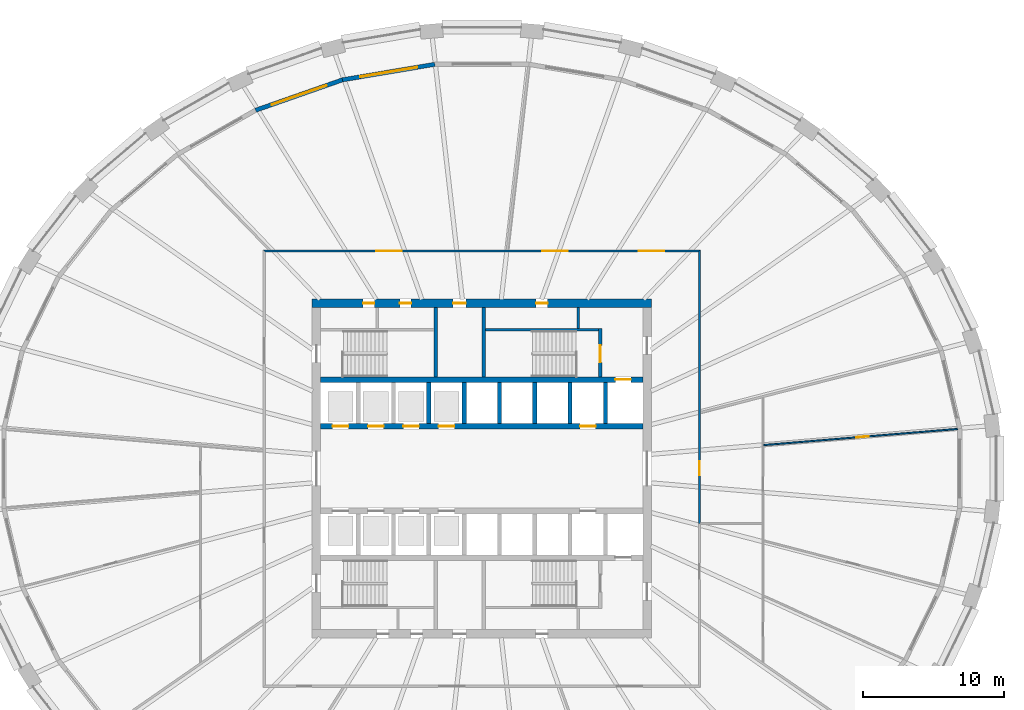
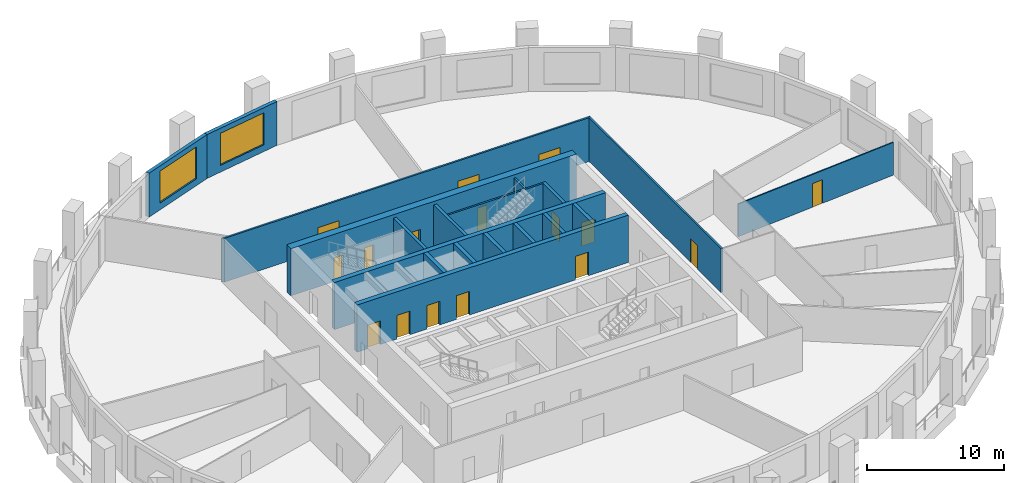
# One storey, part 6 of 11: 19 walls, 16 doors, 2 windows, 18 openings.
"""IFC4 building model written with IfcOpenShell, lengths in metres."""

from ifc_helpers import new_model, si_unit, direction, frame, frame_2d, origin, place, context, subcontext, project, spatial, polyline, rectangle, outline, extrude, material, layer, layer_set, type_object, element, fill, save


model = new_model("IFC4")

# Units and contexts
model_context = context("Model", 3, precision=1e-05, world=origin(), true_north=direction((0.0, 1.0)))
body_context = subcontext(model_context, "Body", "Model", "MODEL_VIEW")
ifc_project = project(units=[si_unit("LENGTHUNIT", "METRE"), si_unit("AREAUNIT", "SQUARE_METRE"), si_unit("VOLUMEUNIT", "CUBIC_METRE"), si_unit("PLANEANGLEUNIT", "RADIAN"), si_unit("MASSUNIT", "GRAM", prefix="KILO")], contexts=[model_context])

# Site, building, storey
site_placement = place(None, origin())
site = spatial("IfcSite", under=ifc_project, at=site_placement, CompositionType="ELEMENT")
building_placement = place(site_placement, origin())
building = spatial("IfcBuilding", under=site, at=building_placement, Name="Halqa Exchange Tower", CompositionType="ELEMENT")
storey_placement = place(building_placement, frame((0.0, 0.0, 82.300048828125)))
storey = spatial("IfcBuildingStorey", under=building, at=storey_placement, Name="L18", CompositionType="ELEMENT", Elevation=82.300048828125)

# Wall, openings, doors
ifc_material_1 = material(Name="Fire-rated gypsum board")
ifc_layer_1 = layer(ifc_material_1, 0.14990234375)
ifc_layer_set_1 = layer_set([ifc_layer_1], Name="Fire-rated gypsum board")
wall_type_1 = type_object("IfcWallType", Name="Fire partition EI 60 150", PredefinedType="PARTITIONING", material=ifc_layer_set_1)
wall_1_placement = place(storey_placement, frame((-15.47509765625, 15.39990234375, 0.0), z_axis=(0.0, 0.0, 1.0), x_axis=(1.0, 0.0, 0.0)))
wall_1 = element("IfcWall", 1, at=wall_1_placement, inside=storey, type_object=wall_type_1, Name="L18-PWL-008", PredefinedType="PARTITIONING", context=body_context, shape_type="SweptSolid", body=[
    extrude(outline(polyline([(0.150146484375, -0.074951171875), (2.065673828125, -0.074951171875), (3.9814453125, -0.074951171875), (5.89697265625, -0.074951171875), (7.8125, -0.074951171875), (9.728271484375, -0.074951171875), (11.643798828125, -0.074951171875), (13.5595703125, -0.074951171875), (15.47509765625, -0.074951171875), (17.390625, -0.074951171875), (19.306396484375, -0.074951171875), (21.221923828125, -0.074951171875), (23.1376953125, -0.074951171875), (25.05322265625, -0.074951171875), (26.96875, -0.074951171875), (28.884521484375, -0.074951171875), (30.800048828125, -0.074951171875), (30.949951171875, 0.074951171875), (29.015625, 0.074951171875), (27.081298828125, 0.074951171875), (25.14697265625, 0.074951171875), (23.21240234375, 0.074951171875), (21.278076171875, 0.074951171875), (19.34375, 0.074951171875), (17.409423828125, 0.074951171875), (15.47509765625, 0.074951171875), (13.540771484375, 0.074951171875), (11.6064453125, 0.074951171875), (9.672119140625, 0.074951171875), (7.73779296875, 0.074951171875), (5.80322265625, 0.074951171875), (3.868896484375, 0.074951171875), (1.9345703125, 0.074951171875), (0.000244140625, 0.074951171875), (0.150146484375, -0.074951171875)])), origin(), (0.0, 0.0, 1.0), 3.89990234375),
])
opening_1_placement = place(wall_1_placement, frame((26.572509765625, 0.0, 0.0)))
opening_1 = element("IfcOpeningElement", 2, at=opening_1_placement, cuts=wall_1, Name="Opening 05-07", PredefinedType="OPENING", context=body_context, shape_type="SweptSolid", body=[
    extrude(rectangle(XDim=1.800048828125, YDim=2.10009765625, at=frame_2d((0.89990234375, 1.050048828125))), frame((0.0, 0.0869140625, 0.0), z_axis=(0.0, -1.0, 0.0), x_axis=(1.0, 0.0, 0.0)), (0.0, 0.0, 1.0), 0.173828125),
])
opening_2_placement = place(wall_1_placement, frame((19.767578125, 0.0, 0.0)))
opening_2 = element("IfcOpeningElement", 3, at=opening_2_placement, cuts=wall_1, Name="Opening 05-08", PredefinedType="OPENING", context=body_context, shape_type="SweptSolid", body=[
    extrude(rectangle(XDim=1.800048828125, YDim=2.10009765625, at=frame_2d((0.89990234375, 1.050048828125))), frame((0.0, 0.0869140625, 0.0), z_axis=(0.0, -1.0, 0.0), x_axis=(1.0, 0.0, 0.0)), (0.0, 0.0, 1.0), 0.173828125),
])
opening_3_placement = place(wall_1_placement, frame((7.9951171875, 0.0, 0.0)))
opening_3 = element("IfcOpeningElement", 4, at=opening_3_placement, cuts=wall_1, Name="Opening 05-09", PredefinedType="OPENING", context=body_context, shape_type="SweptSolid", body=[
    extrude(rectangle(XDim=1.800048828125, YDim=2.10009765625, at=frame_2d((0.89990234375, 1.050048828125))), frame((0.0, 0.0869140625, 0.0), z_axis=(0.0, -1.0, 0.0), x_axis=(1.0, 0.0, 0.0)), (0.0, 0.0, 1.0), 0.173828125),
])
ifc_material_2 = material(Name="Steel fire door leaf", Category="steel")
door_type_1 = type_object("IfcDoorType", Name="Fire door FD30S double 1800 x 2100", OperationType="DOUBLE_DOOR_SINGLE_SWING", PredefinedType="DOOR", material=ifc_material_2)
door_1_placement = place(opening_1_placement, origin())
door_1 = element("IfcDoor", 5, at=door_1_placement, inside=storey, type_object=door_type_1, Name="L18-IDR-007", OperationType="DOUBLE_DOOR_SINGLE_SWING", OverallHeight=2.10009765625, OverallWidth=1.800048828125, PredefinedType="DOOR", context=body_context, shape_type="SweptSolid", body=[
    extrude(rectangle(XDim=1.800048828125, YDim=2.10009765625, at=frame_2d((0.89990234375, 1.050048828125))), frame((0.0, 0.02490234375, 0.0), z_axis=(0.0, -1.0, 0.0), x_axis=(1.0, 0.0, 0.0)), (0.0, 0.0, 1.0), 0.050048828125),
])
fill(opening_1, door_1)
door_2_placement = place(opening_2_placement, origin())
door_2 = element("IfcDoor", 6, at=door_2_placement, inside=storey, type_object=door_type_1, Name="L18-IDR-008", OperationType="DOUBLE_DOOR_SINGLE_SWING", OverallHeight=2.10009765625, OverallWidth=1.800048828125, PredefinedType="DOOR", context=body_context, shape_type="SweptSolid", body=[
    extrude(rectangle(XDim=1.800048828125, YDim=2.10009765625, at=frame_2d((0.89990234375, 1.050048828125))), frame((0.0, 0.02490234375, 0.0), z_axis=(0.0, -1.0, 0.0), x_axis=(1.0, 0.0, 0.0)), (0.0, 0.0, 1.0), 0.050048828125),
])
fill(opening_2, door_2)
door_3_placement = place(opening_3_placement, origin())
door_3 = element("IfcDoor", 7, at=door_3_placement, inside=storey, type_object=door_type_1, Name="L18-IDR-009", OperationType="DOUBLE_DOOR_SINGLE_SWING", OverallHeight=2.10009765625, OverallWidth=1.800048828125, PredefinedType="DOOR", context=body_context, shape_type="SweptSolid", body=[
    extrude(rectangle(XDim=1.800048828125, YDim=2.10009765625, at=frame_2d((0.89990234375, 1.050048828125))), frame((0.0, 0.02490234375, 0.0), z_axis=(0.0, -1.0, 0.0), x_axis=(1.0, 0.0, 0.0)), (0.0, 0.0, 1.0), 0.050048828125),
])
fill(opening_3, door_3)

# Wall, opening, door
wall_2_placement = place(storey_placement, frame((15.39990234375, -3.889892578125, 0.0), z_axis=(0.0, 0.0, 1.0), x_axis=(0.0, 1.0, 0.0)))
wall_2 = element("IfcWall", 8, at=wall_2_placement, inside=storey, type_object=wall_type_1, Name="L18-PWL-016", PredefinedType="PARTITIONING", context=body_context, shape_type="SweptSolid", body=[
    extrude(outline(polyline([(0.0, -0.074951171875), (1.9365234375, -0.074951171875), (3.873046875, -0.074951171875), (5.809326171875, -0.074951171875), (7.745849609375, -0.074951171875), (9.682373046875, -0.074951171875), (11.618896484375, -0.074951171875), (13.555419921875, -0.074951171875), (15.49169921875, -0.074951171875), (17.42822265625, -0.074951171875), (19.36474609375, -0.074951171875), (19.21484375, 0.074951171875), (17.29345703125, 0.074951171875), (15.371826171875, 0.074951171875), (13.450439453125, 0.074951171875), (11.52880859375, 0.074951171875), (9.607421875, 0.074951171875), (7.68603515625, 0.074951171875), (5.764404296875, 0.074951171875), (3.843017578125, 0.074951171875), (1.92138671875, 0.074951171875), (0.0, 0.074951171875), (0.0, -0.074951171875)])), origin(), (0.0, 0.0, 1.0), 3.89990234375),
])
opening_4_placement = place(wall_2_placement, frame((3.419921875, 0.0, 0.0)))
opening_4 = element("IfcOpeningElement", 9, at=opening_4_placement, cuts=wall_2, Name="Opening 05-06", PredefinedType="OPENING", context=body_context, shape_type="SweptSolid", body=[
    extrude(rectangle(XDim=1.0, YDim=2.10009765625, at=frame_2d((0.5, 1.050048828125))), frame((0.0, 0.0869140625, 0.0), z_axis=(0.0, -1.0, 0.0), x_axis=(1.0, 0.0, 0.0)), (0.0, 0.0, 1.0), 0.173828125),
])
door_type_2 = type_object("IfcDoorType", Name="Fire door FD30S 1000 x 2100", OperationType="SINGLE_SWING_LEFT", PredefinedType="DOOR", material=ifc_material_2)
door_4_placement = place(opening_4_placement, frame((1.0, 0.0, 0.0), z_axis=(0.0, 0.0, 1.0), x_axis=(-1.0, 0.0, 0.0)))
door_4 = element("IfcDoor", 10, at=door_4_placement, inside=storey, type_object=door_type_2, Name="L18-IDR-006", OperationType="SINGLE_SWING_RIGHT", OverallHeight=2.10009765625, OverallWidth=1.0, PredefinedType="DOOR", context=body_context, shape_type="SweptSolid", body=[
    extrude(rectangle(XDim=1.0, YDim=2.10009765625, at=frame_2d((0.5, 1.050048828125))), frame((0.0, 0.02490234375, 0.0), z_axis=(0.0, -1.0, 0.0), x_axis=(1.0, 0.0, 0.0)), (0.0, 0.0, 1.0), 0.050048828125),
])
fill(opening_4, door_4)

ifc_material_3 = material(Name="Gypsum board")
ifc_layer_2 = layer(ifc_material_3, 0.10009765625)
ifc_layer_set_2 = layer_set([ifc_layer_2], Name="Gypsum board")
wall_type_2 = type_object("IfcWallType", Name="Partition 100 gypsum", PredefinedType="PARTITIONING", material=ifc_layer_set_2)
wall_3_placement = place(storey_placement, frame((19.9462890625, 1.663818359375, 0.0), z_axis=(0.0, 0.0, 1.0), x_axis=(0.996559566172, 0.082879617945, 0.0)))
wall_3 = element("IfcWall", 11, at=wall_3_placement, inside=storey, type_object=wall_type_2, Name="L18-PWL-022", PredefinedType="PARTITIONING", context=body_context, shape_type="SweptSolid", body=[
    extrude(outline(polyline([(13.765380859375, -0.050048828125), (13.765380859375, 0.0263671875), (13.761962890625, 0.050048828125), (11.797119140625, 0.050048828125), (9.83203125, 0.050048828125), (7.8671875, 0.050048828125), (5.90234375, 0.050048828125), (3.9375, 0.050048828125), (1.97265625, 0.050048828125), (0.0078125, 0.050048828125), (0.0, -0.044677734375), (0.0, -0.050048828125), (1.966552734375, -0.050048828125), (3.932861328125, -0.050048828125), (5.8994140625, -0.050048828125), (7.865966796875, -0.050048828125), (9.83251953125, -0.050048828125), (11.798828125, -0.050048828125), (13.765380859375, -0.050048828125)])), origin(), (0.0, 0.0, 1.0), 2.909912109375),
])
opening_5_placement = place(wall_3_placement, frame((6.562744140625, 0.0, 0.0)))
opening_5 = element("IfcOpeningElement", 12, at=opening_5_placement, cuts=wall_3, Name="Opening 05-17", PredefinedType="OPENING", context=body_context, shape_type="SweptSolid", body=[
    extrude(rectangle(XDim=0.89990234375, YDim=2.10009765625, at=frame_2d((0.449951171875, 1.050048828125))), frame((0.0, 0.06201171875, 0.0), z_axis=(0.0, -1.0, 0.0), x_axis=(1.0, 0.0, 0.0)), (0.0, 0.0, 1.0), 0.1240234375),
])
ifc_material_4 = material(Name="Timber door leaf", Category="wood")
door_type_3 = type_object("IfcDoorType", Name="Door 900 x 2100", OperationType="SINGLE_SWING_LEFT", PredefinedType="DOOR", material=ifc_material_4)
door_5_placement = place(opening_5_placement, origin())
door_5 = element("IfcDoor", 13, at=door_5_placement, inside=storey, type_object=door_type_3, Name="L18-IDR-017", OperationType="SINGLE_SWING_RIGHT", OverallHeight=2.10009765625, OverallWidth=0.89990234375, PredefinedType="DOOR", context=body_context, shape_type="SweptSolid", body=[
    extrude(rectangle(XDim=0.89990234375, YDim=2.10009765625, at=frame_2d((0.449951171875, 1.050048828125))), frame((0.0, 0.02490234375, 0.0), z_axis=(0.0, -1.0, 0.0), x_axis=(1.0, 0.0, 0.0)), (0.0, 0.0, 1.0), 0.050048828125),
])
fill(opening_5, door_5)

# Walls
ifc_layer_3 = layer(ifc_material_3, 0.14990234375)
ifc_layer_set_3 = layer_set([ifc_layer_3], Name="Gypsum board")
wall_type_3 = type_object("IfcWallType", Name="Penthouse riser wall 150 gypsum", PredefinedType="PARTITIONING", material=ifc_layer_set_3)
wall_4_placement = place(storey_placement, frame((6.824951171875, 9.89990234375, 0.0), z_axis=(0.0, 0.0, 1.0), x_axis=(0.0, 1.0, 0.0)))
element("IfcWall", 14, at=wall_4_placement, inside=storey, type_object=wall_type_3, Name="Firefighting lobby west wall N", PredefinedType="PARTITIONING", context=body_context, shape_type="SweptSolid", body=[
    extrude(rectangle(XDim=1.5, YDim=0.14990234375, at=frame_2d((0.75, 0.0))), origin(), (0.0, 0.0, 1.0), 3.89990234375),
])
ifc_material_5 = material(Name="Concrete C60/75", Category="concrete")
ifc_layer_4 = layer(ifc_material_5, 0.300048828125)
ifc_layer_set_4 = layer_set([ifc_layer_4], Name="Concrete C60/75")
wall_type_4 = type_object("IfcWallType", Name="RC core wall 300", PredefinedType="SHEAR", material=ifc_layer_set_4)
for number, where, z_axis, x_axis, name in (
    (15, (-3.75, 3.199951171875, 0.0), (0.0, 0.0, 1.0), (0.0, 1.0, 0.0), "Shaft divider N3"),
    (16, (-1.25, 3.199951171875, 0.0), (0.0, 0.0, 1.0), (0.0, 1.0, 0.0), "Shaft divider N4"),
    (17, (1.25, 3.199951171875, 0.0), (0.0, 0.0, 1.0), (0.0, 1.0, 0.0), "Shaft divider N5"),
    (18, (3.75, 3.199951171875, 0.0), (0.0, 0.0, 1.0), (0.0, 1.0, 0.0), "Shaft divider N6"),
    (19, (6.25, 3.199951171875, 0.0), (0.0, 0.0, 1.0), (0.0, 1.0, 0.0), "Shaft divider N7"),
    (20, (8.75, 3.199951171875, 0.0), (0.0, 0.0, 1.0), (0.0, 1.0, 0.0), "Shaft divider N8"),
):
    element("IfcWall", number, at=place(storey_placement, frame(where, z_axis=z_axis, x_axis=x_axis)), inside=storey, type_object=wall_type_4, Name=name, PredefinedType="SHEAR", context=body_context, shape_type="SweptSolid", body=[
        extrude(rectangle(XDim=2.900146484375, YDim=0.300048828125, at=frame_2d((1.4501953125, 0.0))), origin(), (0.0, 0.0, 1.0), 4.199951171875),
    ])

# Wall, openings, doors
ifc_material_6 = material(Name="Concrete C80/95", Category="concrete")
ifc_layer_5 = layer(ifc_material_6, 0.39990234375)
ifc_layer_set_5 = layer_set([ifc_layer_5], Name="Concrete C80/95")
wall_type_5 = type_object("IfcWallType", Name="RC core wall 400 C80/95", PredefinedType="SHEAR", material=ifc_layer_set_5)
wall_5_placement = place(storey_placement, frame((-11.39990234375, 3.0, 0.0), z_axis=(0.0, 0.0, 1.0), x_axis=(1.0, 0.0, 0.0)))
wall_5 = element("IfcWall", 21, at=wall_5_placement, inside=storey, type_object=wall_type_5, Name="Lift row front wall N", PredefinedType="SHEAR", context=body_context, shape_type="SweptSolid", body=[
    extrude(rectangle(XDim=22.7998046875, YDim=0.39990234375, at=frame_2d((11.39990234375, 0.0))), origin(), (0.0, 0.0, 1.0), 4.199951171875),
])
opening_6_placement = place(wall_5_placement, frame((0.85009765625, 0.0, 0.0)))
opening_6 = element("IfcOpeningElement", 22, at=opening_6_placement, cuts=wall_5, Name="Opening LD-LR1-T05", PredefinedType="OPENING", context=body_context, shape_type="SweptSolid", body=[
    extrude(rectangle(XDim=1.10009765625, YDim=2.10009765625, at=frame_2d((0.550048828125, 1.050048828125))), frame((0.0, 0.2119140625, 0.0), z_axis=(0.0, -1.0, 0.0), x_axis=(1.0, 0.0, 0.0)), (0.0, 0.0, 1.0), 0.423828125),
])
opening_7_placement = place(wall_5_placement, frame((3.35009765625, 0.0, 0.0)))
opening_7 = element("IfcOpeningElement", 23, at=opening_7_placement, cuts=wall_5, Name="Opening LD-LR2-T05", PredefinedType="OPENING", context=body_context, shape_type="SweptSolid", body=[
    extrude(rectangle(XDim=1.10009765625, YDim=2.10009765625, at=frame_2d((0.550048828125, 1.050048828125))), frame((0.0, 0.2119140625, 0.0), z_axis=(0.0, -1.0, 0.0), x_axis=(1.0, 0.0, 0.0)), (0.0, 0.0, 1.0), 0.423828125),
])
opening_8_placement = place(wall_5_placement, frame((5.85009765625, 0.0, 0.0)))
opening_8 = element("IfcOpeningElement", 24, at=opening_8_placement, cuts=wall_5, Name="Opening LD-LR3-T05", PredefinedType="OPENING", context=body_context, shape_type="SweptSolid", body=[
    extrude(rectangle(XDim=1.10009765625, YDim=2.10009765625, at=frame_2d((0.550048828125, 1.050048828125))), frame((0.0, 0.2119140625, 0.0), z_axis=(0.0, -1.0, 0.0), x_axis=(1.0, 0.0, 0.0)), (0.0, 0.0, 1.0), 0.423828125),
])
opening_9_placement = place(wall_5_placement, frame((8.35009765625, 0.0, 0.0)))
opening_9 = element("IfcOpeningElement", 25, at=opening_9_placement, cuts=wall_5, Name="Opening LD-LR4-T05", PredefinedType="OPENING", context=body_context, shape_type="SweptSolid", body=[
    extrude(rectangle(XDim=1.10009765625, YDim=2.10009765625, at=frame_2d((0.550048828125, 1.050048828125))), frame((0.0, 0.2119140625, 0.0), z_axis=(0.0, -1.0, 0.0), x_axis=(1.0, 0.0, 0.0)), (0.0, 0.0, 1.0), 0.423828125),
])
opening_10_placement = place(wall_5_placement, frame((18.35009765625, 0.0, 0.0)))
opening_10 = element("IfcOpeningElement", 26, at=opening_10_placement, cuts=wall_5, Name="Opening LD-SV1-T05", PredefinedType="OPENING", context=body_context, shape_type="SweptSolid", body=[
    extrude(rectangle(XDim=1.10009765625, YDim=2.10009765625, at=frame_2d((0.550048828125, 1.050048828125))), frame((0.0, 0.2119140625, 0.0), z_axis=(0.0, -1.0, 0.0), x_axis=(1.0, 0.0, 0.0)), (0.0, 0.0, 1.0), 0.423828125),
])
ifc_material_7 = material(Name="Stainless steel", Category="steel")
door_type_4 = type_object("IfcDoorType", Name="Lift landing door 1100 x 2100", OperationType="SLIDING_TO_LEFT", PredefinedType="DOOR", material=ifc_material_7)
door_6_placement = place(opening_6_placement, origin())
door_6 = element("IfcDoor", 27, at=door_6_placement, inside=storey, type_object=door_type_4, Name="Lift landing door LR1", OperationType="SLIDING_TO_LEFT", OverallHeight=2.10009765625, OverallWidth=1.10009765625, PredefinedType="DOOR", context=body_context, shape_type="SweptSolid", body=[
    extrude(rectangle(XDim=1.10009765625, YDim=2.10009765625, at=frame_2d((0.550048828125, 1.050048828125))), frame((0.0, 0.02490234375, 0.0), z_axis=(0.0, -1.0, 0.0), x_axis=(1.0, 0.0, 0.0)), (0.0, 0.0, 1.0), 0.050048828125),
])
fill(opening_6, door_6)
door_7_placement = place(opening_7_placement, origin())
door_7 = element("IfcDoor", 28, at=door_7_placement, inside=storey, type_object=door_type_4, Name="Lift landing door LR2", OperationType="SLIDING_TO_LEFT", OverallHeight=2.10009765625, OverallWidth=1.10009765625, PredefinedType="DOOR", context=body_context, shape_type="SweptSolid", body=[
    extrude(rectangle(XDim=1.10009765625, YDim=2.10009765625, at=frame_2d((0.550048828125, 1.050048828125))), frame((0.0, 0.02490234375, 0.0), z_axis=(0.0, -1.0, 0.0), x_axis=(1.0, 0.0, 0.0)), (0.0, 0.0, 1.0), 0.050048828125),
])
fill(opening_7, door_7)
door_8_placement = place(opening_8_placement, origin())
door_8 = element("IfcDoor", 29, at=door_8_placement, inside=storey, type_object=door_type_4, Name="Lift landing door LR3", OperationType="SLIDING_TO_LEFT", OverallHeight=2.10009765625, OverallWidth=1.10009765625, PredefinedType="DOOR", context=body_context, shape_type="SweptSolid", body=[
    extrude(rectangle(XDim=1.10009765625, YDim=2.10009765625, at=frame_2d((0.550048828125, 1.050048828125))), frame((0.0, 0.02490234375, 0.0), z_axis=(0.0, -1.0, 0.0), x_axis=(1.0, 0.0, 0.0)), (0.0, 0.0, 1.0), 0.050048828125),
])
fill(opening_8, door_8)
door_9_placement = place(opening_9_placement, origin())
door_9 = element("IfcDoor", 30, at=door_9_placement, inside=storey, type_object=door_type_4, Name="Lift landing door LR4", OperationType="SLIDING_TO_LEFT", OverallHeight=2.10009765625, OverallWidth=1.10009765625, PredefinedType="DOOR", context=body_context, shape_type="SweptSolid", body=[
    extrude(rectangle(XDim=1.10009765625, YDim=2.10009765625, at=frame_2d((0.550048828125, 1.050048828125))), frame((0.0, 0.02490234375, 0.0), z_axis=(0.0, -1.0, 0.0), x_axis=(1.0, 0.0, 0.0)), (0.0, 0.0, 1.0), 0.050048828125),
])
fill(opening_9, door_9)
door_10_placement = place(opening_10_placement, origin())
door_10 = element("IfcDoor", 31, at=door_10_placement, inside=storey, type_object=door_type_4, Name="Lift landing door SV1", OperationType="SLIDING_TO_LEFT", OverallHeight=2.10009765625, OverallWidth=1.10009765625, PredefinedType="DOOR", context=body_context, shape_type="SweptSolid", body=[
    extrude(rectangle(XDim=1.10009765625, YDim=2.10009765625, at=frame_2d((0.550048828125, 1.050048828125))), frame((0.0, 0.02490234375, 0.0), z_axis=(0.0, -1.0, 0.0), x_axis=(1.0, 0.0, 0.0)), (0.0, 0.0, 1.0), 0.050048828125),
])
fill(opening_10, door_10)

# Wall, opening, door
wall_6_placement = place(storey_placement, frame((-11.39990234375, 6.300048828125, 0.0), z_axis=(0.0, 0.0, 1.0), x_axis=(1.0, 0.0, 0.0)))
wall_6 = element("IfcWall", 32, at=wall_6_placement, inside=storey, type_object=wall_type_5, Name="Lift row back wall N", PredefinedType="SHEAR", context=body_context, shape_type="SweptSolid", body=[
    extrude(rectangle(XDim=22.7998046875, YDim=0.39990234375, at=frame_2d((11.39990234375, 0.0))), origin(), (0.0, 0.0, 1.0), 4.199951171875),
])
opening_11_placement = place(wall_6_placement, frame((20.85009765625, 0.0, 0.0)))
opening_11 = element("IfcOpeningElement", 33, at=opening_11_placement, cuts=wall_6, Name="Opening LD-FF1-T05", PredefinedType="OPENING", context=body_context, shape_type="SweptSolid", body=[
    extrude(rectangle(XDim=1.10009765625, YDim=2.10009765625, at=frame_2d((0.550048828125, 1.050048828125))), frame((0.0, 0.2119140625, 0.0), z_axis=(0.0, -1.0, 0.0), x_axis=(1.0, 0.0, 0.0)), (0.0, 0.0, 1.0), 0.423828125),
])
door_11_placement = place(opening_11_placement, origin())
door_11 = element("IfcDoor", 34, at=door_11_placement, inside=storey, type_object=door_type_4, Name="Lift landing door FF1", OperationType="SLIDING_TO_LEFT", OverallHeight=2.10009765625, OverallWidth=1.10009765625, PredefinedType="DOOR", context=body_context, shape_type="SweptSolid", body=[
    extrude(rectangle(XDim=1.10009765625, YDim=2.10009765625, at=frame_2d((0.550048828125, 1.050048828125))), frame((0.0, 0.02490234375, 0.0), z_axis=(0.0, -1.0, 0.0), x_axis=(1.0, 0.0, 0.0)), (0.0, 0.0, 1.0), 0.050048828125),
])
fill(opening_11, door_11)

# Wall, openings, doors
ifc_layer_6 = layer(ifc_material_6, 0.60009765625)
ifc_layer_set_6 = layer_set([ifc_layer_6], Name="Concrete C80/95")
wall_type_6 = type_object("IfcWallType", Name="RC core wall 600 C80/95", PredefinedType="SHEAR", material=ifc_layer_set_6)
wall_7_placement = place(storey_placement, frame((-12.0, 11.699951171875, 0.0), z_axis=(0.0, 0.0, 1.0), x_axis=(1.0, 0.0, 0.0)))
wall_7 = element("IfcWall", 35, at=wall_7_placement, inside=storey, type_object=wall_type_6, Name="Core wall north", PredefinedType="SHEAR", context=body_context, shape_type="SweptSolid", body=[
    extrude(rectangle(XDim=24.0, YDim=0.60009765625, at=frame_2d((12.0, 0.0))), origin(), (0.0, 0.0, 1.0), 4.199951171875),
])
opening_12_placement = place(wall_7_placement, frame((9.97509765625, 0.0, 0.0)))
opening_12 = element("IfcOpeningElement", 36, at=opening_12_placement, cuts=wall_7, Name="Opening T05-C21", PredefinedType="OPENING", context=body_context, shape_type="SweptSolid", body=[
    extrude(rectangle(XDim=0.89990234375, YDim=2.10009765625, at=frame_2d((0.449951171875, 1.050048828125))), frame((0.0, 0.31201171875, 0.0), z_axis=(0.0, -1.0, 0.0), x_axis=(1.0, 0.0, 0.0)), (0.0, 0.0, 1.0), 0.6240234375),
])
opening_13_placement = place(wall_7_placement, frame((3.60009765625, 0.0, 0.0)))
opening_13 = element("IfcOpeningElement", 37, at=opening_13_placement, cuts=wall_7, Name="Opening T05-C22", PredefinedType="OPENING", context=body_context, shape_type="SweptSolid", body=[
    extrude(rectangle(XDim=0.800048828125, YDim=2.10009765625, at=frame_2d((0.39990234375, 1.050048828125))), frame((0.0, 0.31201171875, 0.0), z_axis=(0.0, -1.0, 0.0), x_axis=(1.0, 0.0, 0.0)), (0.0, 0.0, 1.0), 0.6240234375),
])
opening_14_placement = place(wall_7_placement, frame((6.199951171875, 0.0, 0.0)))
opening_14 = element("IfcOpeningElement", 38, at=opening_14_placement, cuts=wall_7, Name="Opening T05-C23", PredefinedType="OPENING", context=body_context, shape_type="SweptSolid", body=[
    extrude(rectangle(XDim=0.800048828125, YDim=2.10009765625, at=frame_2d((0.39990234375, 1.050048828125))), frame((0.0, 0.31201171875, 0.0), z_axis=(0.0, -1.0, 0.0), x_axis=(1.0, 0.0, 0.0)), (0.0, 0.0, 1.0), 0.6240234375),
])
opening_15_placement = place(wall_7_placement, frame((15.85009765625, 0.0, 0.0)))
opening_15 = element("IfcOpeningElement", 39, at=opening_15_placement, cuts=wall_7, Name="Opening T05-C24", PredefinedType="OPENING", context=body_context, shape_type="SweptSolid", body=[
    extrude(rectangle(XDim=0.800048828125, YDim=2.10009765625, at=frame_2d((0.39990234375, 1.050048828125))), frame((0.0, 0.31201171875, 0.0), z_axis=(0.0, -1.0, 0.0), x_axis=(1.0, 0.0, 0.0)), (0.0, 0.0, 1.0), 0.6240234375),
])
ifc_material_8 = material(Name="Timber fire door leaf", Category="wood")
door_type_5 = type_object("IfcDoorType", Name="Core room door FD30 900 x 2100", OperationType="SINGLE_SWING_LEFT", PredefinedType="DOOR", material=ifc_material_8)
door_12_placement = place(opening_12_placement, frame((0.89990234375, 0.0, 0.0), z_axis=(0.0, 0.0, 1.0), x_axis=(-1.0, 0.0, 0.0)))
door_12 = element("IfcDoor", 40, at=door_12_placement, inside=storey, type_object=door_type_5, Name="Core room door", OperationType="SINGLE_SWING_LEFT", OverallHeight=2.10009765625, OverallWidth=0.89990234375, PredefinedType="DOOR", context=body_context, shape_type="SweptSolid", body=[
    extrude(rectangle(XDim=0.89990234375, YDim=2.10009765625, at=frame_2d((0.449951171875, 1.050048828125))), frame((0.0, 0.02490234375, 0.0), z_axis=(0.0, -1.0, 0.0), x_axis=(1.0, 0.0, 0.0)), (0.0, 0.0, 1.0), 0.050048828125),
])
fill(opening_12, door_12)
door_type_6 = type_object("IfcDoorType", Name="Riser door FD60 800 x 2100", OperationType="SINGLE_SWING_LEFT", PredefinedType="DOOR", material=ifc_material_2)
door_13_placement = place(opening_13_placement, frame((0.800048828125, 0.0, 0.0), z_axis=(0.0, 0.0, 1.0), x_axis=(-1.0, 0.0, 0.0)))
door_13 = element("IfcDoor", 41, at=door_13_placement, inside=storey, type_object=door_type_6, Name="Core room door", OperationType="SINGLE_SWING_RIGHT", OverallHeight=2.10009765625, OverallWidth=0.800048828125, PredefinedType="DOOR", context=body_context, shape_type="SweptSolid", body=[
    extrude(rectangle(XDim=0.800048828125, YDim=2.10009765625, at=frame_2d((0.39990234375, 1.050048828125))), frame((0.0, 0.02490234375, 0.0), z_axis=(0.0, -1.0, 0.0), x_axis=(1.0, 0.0, 0.0)), (0.0, 0.0, 1.0), 0.050048828125),
])
fill(opening_13, door_13)
door_14_placement = place(opening_14_placement, frame((0.800048828125, 0.0, 0.0), z_axis=(0.0, 0.0, 1.0), x_axis=(-1.0, 0.0, 0.0)))
door_14 = element("IfcDoor", 42, at=door_14_placement, inside=storey, type_object=door_type_6, Name="Core room door", OperationType="SINGLE_SWING_LEFT", OverallHeight=2.10009765625, OverallWidth=0.800048828125, PredefinedType="DOOR", context=body_context, shape_type="SweptSolid", body=[
    extrude(rectangle(XDim=0.800048828125, YDim=2.10009765625, at=frame_2d((0.39990234375, 1.050048828125))), frame((0.0, 0.02490234375, 0.0), z_axis=(0.0, -1.0, 0.0), x_axis=(1.0, 0.0, 0.0)), (0.0, 0.0, 1.0), 0.050048828125),
])
fill(opening_14, door_14)
door_15_placement = place(opening_15_placement, frame((0.800048828125, 0.0, 0.0), z_axis=(0.0, 0.0, 1.0), x_axis=(-1.0, 0.0, 0.0)))
door_15 = element("IfcDoor", 43, at=door_15_placement, inside=storey, type_object=door_type_6, Name="Core room door", OperationType="SINGLE_SWING_RIGHT", OverallHeight=2.10009765625, OverallWidth=0.800048828125, PredefinedType="DOOR", context=body_context, shape_type="SweptSolid", body=[
    extrude(rectangle(XDim=0.800048828125, YDim=2.10009765625, at=frame_2d((0.39990234375, 1.050048828125))), frame((0.0, 0.02490234375, 0.0), z_axis=(0.0, -1.0, 0.0), x_axis=(1.0, 0.0, 0.0)), (0.0, 0.0, 1.0), 0.050048828125),
])
fill(opening_15, door_15)

# Walls
ifc_material_9 = material(Name="Concrete C30/37", Category="concrete")
ifc_layer_7 = layer(ifc_material_9, 0.14990234375)
ifc_layer_set_7 = layer_set([ifc_layer_7], Name="Concrete C30/37")
wall_type_7 = type_object("IfcWallType", Name="RC stair wall 150 C30/37", PredefinedType="SHEAR", material=ifc_layer_set_7)
wall_8_placement = place(storey_placement, frame((0.25, 9.824951171875, 0.0), z_axis=(0.0, 0.0, 1.0), x_axis=(1.0, 0.0, 0.0)))
element("IfcWall", 44, at=wall_8_placement, inside=storey, type_object=wall_type_7, Name="Stair ST2 north wall N", PredefinedType="SHEAR", context=body_context, shape_type="SweptSolid", body=[
    extrude(rectangle(XDim=8.0, YDim=0.14990234375, at=frame_2d((4.0, 0.0))), origin(), (0.0, 0.0, 1.0), 3.89990234375),
])
ifc_layer_8 = layer(ifc_material_9, 0.25)
ifc_layer_set_8 = layer_set([ifc_layer_8], Name="Concrete C30/37")
wall_type_8 = type_object("IfcWallType", Name="RC stair wall 250 C30/37", PredefinedType="SHEAR", material=ifc_layer_set_8)
for number, where, z_axis, x_axis, name in (
    (45, (-3.27490234375, 6.5, 0.0), (0.0, 0.0, 1.0), (0.0, 1.0, 0.0), "Stair ST1 east wall N"),
    (46, (0.125, 6.5, 0.0), (0.0, 0.0, 1.0), (0.0, 1.0, 0.0), "Stair ST2 west wall N"),
):
    element("IfcWall", number, at=place(storey_placement, frame(where, z_axis=z_axis, x_axis=x_axis)), inside=storey, type_object=wall_type_8, Name=name, PredefinedType="SHEAR", context=body_context, shape_type="SweptSolid", body=[
        extrude(rectangle(XDim=4.89990234375, YDim=0.25, at=frame_2d((2.449951171875, 0.0))), origin(), (0.0, 0.0, 1.0), 3.89990234375),
    ])

# Wall, opening, door
wall_9_placement = place(storey_placement, frame((8.375, 6.5, 0.0), z_axis=(0.0, 0.0, 1.0), x_axis=(0.0, 1.0, 0.0)))
wall_9 = element("IfcWall", 47, at=wall_9_placement, inside=storey, type_object=wall_type_8, Name="Stair ST2 east wall N", PredefinedType="SHEAR", context=body_context, shape_type="SweptSolid", body=[
    extrude(rectangle(XDim=3.39990234375, YDim=0.25, at=frame_2d((1.699951171875, 0.0))), origin(), (0.0, 0.0, 1.0), 3.89990234375),
])
opening_16_placement = place(wall_9_placement, frame((1.02490234375, 0.0, 0.0)))
opening_16 = element("IfcOpeningElement", 48, at=opening_16_placement, cuts=wall_9, Name="Opening T05-C16", PredefinedType="OPENING", context=body_context, shape_type="SweptSolid", body=[
    extrude(rectangle(XDim=1.199951171875, YDim=2.10009765625, at=frame_2d((0.60009765625, 1.050048828125))), frame((0.0, 0.136962890625, 0.0), z_axis=(0.0, -1.0, 0.0), x_axis=(1.0, 0.0, 0.0)), (0.0, 0.0, 1.0), 0.27392578125),
])
door_type_7 = type_object("IfcDoorType", Name="Stair door FD90 1200 x 2100", OperationType="SINGLE_SWING_LEFT", PredefinedType="DOOR", material=ifc_material_2)
door_16_placement = place(opening_16_placement, origin())
door_16 = element("IfcDoor", 49, at=door_16_placement, inside=storey, type_object=door_type_7, Name="Stair door ST2", OperationType="SINGLE_SWING_RIGHT", OverallHeight=2.10009765625, OverallWidth=1.199951171875, PredefinedType="DOOR", context=body_context, shape_type="SweptSolid", body=[
    extrude(rectangle(XDim=1.199951171875, YDim=2.10009765625, at=frame_2d((0.60009765625, 1.050048828125))), frame((0.0, 0.02490234375, 0.0), z_axis=(0.0, -1.0, 0.0), x_axis=(1.0, 0.0, 0.0)), (0.0, 0.0, 1.0), 0.050048828125),
])
fill(opening_16, door_16)

# Wall, opening, window
ifc_material_10 = material(Name="Limestone cladding", Category="masonry")
ifc_layer_9 = layer(ifc_material_10, 0.0400390625)
ifc_material_11 = material(Name="Ventilated cavity")
ifc_layer_10 = layer(ifc_material_11, 0.030029296875, ventilated=True)
ifc_material_12 = material(Name="Mineral wool insulation")
ifc_layer_11 = layer(ifc_material_12, 0.10009765625)
ifc_layer_12 = layer(ifc_material_9, 0.10009765625)
ifc_material_13 = material(Name="Internal plaster")
ifc_layer_13 = layer(ifc_material_13, 0.030029296875)
ifc_layer_set_9 = layer_set([ifc_layer_9, ifc_layer_10, ifc_layer_11, ifc_layer_12, ifc_layer_13], Name="Stone-faced insulated wall 300")
wall_type_9 = type_object("IfcWallType", Name="Stone-faced insulated wall 300", PredefinedType="STANDARD", material=ifc_layer_set_9)
wall_10_placement = place(storey_placement, frame((-3.32861328125, 28.61083984375, 0.0), z_axis=(0.0, 0.0, 1.0), x_axis=(-0.986157735925, -0.165809890767, 0.0)))
wall_10 = element("IfcWall", 50, at=wall_10_placement, inside=storey, type_object=wall_type_9, Name="Glass-line wall 9", PredefinedType="STANDARD", context=body_context, shape_type="SweptSolid", body=[
    extrude(outline(polyline([(-0.012451171875, -0.14990234375), (6.634033203125, -0.14990234375), (6.608642578125, 0.14990234375), (0.012451171875, 0.14990234375), (-0.012451171875, -0.14990234375)])), origin(), (0.0, 0.0, 1.0), 3.89990234375),
])
opening_17_placement = place(wall_10_placement, frame((1.2607421875, 0.0, 0.60009765625)))
opening_17 = element("IfcOpeningElement", 51, at=opening_17_placement, cuts=wall_10, Name="Opening W-F1-09", PredefinedType="OPENING", context=body_context, shape_type="SweptSolid", body=[
    extrude(rectangle(XDim=4.10009765625, YDim=2.85009765625, at=frame_2d((2.050048828125, 1.425048828125))), frame((0.0, 0.162109375, 0.0), z_axis=(0.0, -1.0, 0.0), x_axis=(1.0, 0.0, 0.0)), (0.0, 0.0, 1.0), 0.323974609375),
])
ifc_material_14 = material(Name="Clear low-emissivity glass in aluminium frame", Category="aluminium")
window_type = type_object("IfcWindowType", Name="Fixed clear glazed window 4100 x 2850", PartitioningType="TRIPLE_PANEL_VERTICAL", PredefinedType="WINDOW", material=ifc_material_14)
window_1_placement = place(opening_17_placement, origin())
window_1 = element("IfcWindow", 52, at=window_1_placement, inside=storey, type_object=window_type, Name="Window 1", OverallHeight=2.85009765625, OverallWidth=4.10009765625, PartitioningType="TRIPLE_PANEL_VERTICAL", PredefinedType="WINDOW", context=body_context, shape_type="SweptSolid", body=[
    extrude(rectangle(XDim=4.10009765625, YDim=2.85009765625, at=frame_2d((2.050048828125, 1.425048828125))), frame((0.0, 0.030029296875, 0.0), z_axis=(0.0, -1.0, 0.0), x_axis=(1.0, 0.0, 0.0)), (0.0, 0.0, 1.0), 0.06005859375),
])
fill(opening_17, window_1)

wall_11_placement = place(storey_placement, frame((-9.8583984375, 27.512939453125, 0.0), z_axis=(0.0, 0.0, 1.0), x_axis=(-0.943815136299, -0.330473884736, 0.0)))
wall_11 = element("IfcWall", 53, at=wall_11_placement, inside=storey, type_object=wall_type_9, Name="Glass-line wall 10", PredefinedType="STANDARD", context=body_context, shape_type="SweptSolid", body=[
    extrude(outline(polyline([(-0.0126953125, -0.14990234375), (6.531494140625, -0.14990234375), (6.504638671875, 0.14990234375), (0.0126953125, 0.14990234375), (-0.0126953125, -0.14990234375)])), origin(), (0.0, 0.0, 1.0), 3.89990234375),
])
opening_18_placement = place(wall_11_placement, frame((1.208984375, 0.0, 0.60009765625)))
opening_18 = element("IfcOpeningElement", 54, at=opening_18_placement, cuts=wall_11, Name="Opening W-F1-10", PredefinedType="OPENING", context=body_context, shape_type="SweptSolid", body=[
    extrude(rectangle(XDim=4.10009765625, YDim=2.85009765625, at=frame_2d((2.050048828125, 1.425048828125))), frame((0.0, 0.162109375, 0.0), z_axis=(0.0, -1.0, 0.0), x_axis=(1.0, 0.0, 0.0)), (0.0, 0.0, 1.0), 0.323974609375),
])
window_2_placement = place(opening_18_placement, origin())
window_2 = element("IfcWindow", 55, at=window_2_placement, inside=storey, type_object=window_type, Name="Window 1", OverallHeight=2.85009765625, OverallWidth=4.10009765625, PartitioningType="TRIPLE_PANEL_VERTICAL", PredefinedType="WINDOW", context=body_context, shape_type="SweptSolid", body=[
    extrude(rectangle(XDim=4.10009765625, YDim=2.85009765625, at=frame_2d((2.050048828125, 1.425048828125))), frame((0.0, 0.030029296875, 0.0), z_axis=(0.0, -1.0, 0.0), x_axis=(1.0, 0.0, 0.0)), (0.0, 0.0, 1.0), 0.06005859375),
])
fill(opening_18, window_2)

save(model, "model.ifc")
